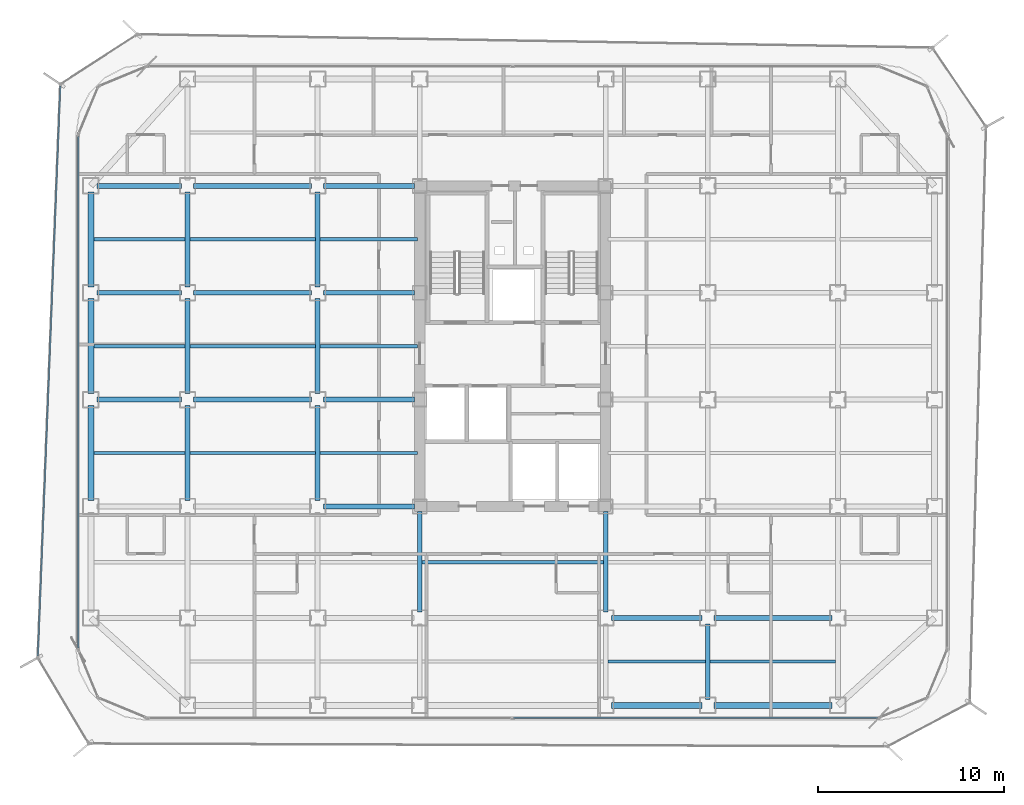
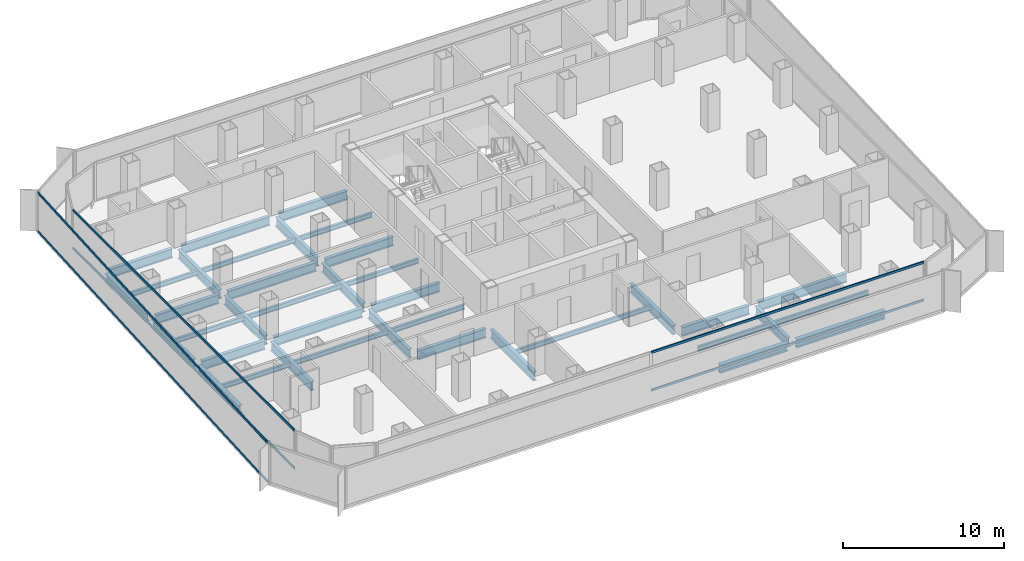
# One storey, part 5 of 21: 38 beams, 6 members, 3 elements without a shape of their own.
"""IFC4 building model written with IfcOpenShell, lengths in metres."""

from ifc_helpers import new_model, si_unit, direction, frame, origin, origin_2d, place, context, subcontext, project, spatial, hollow_rectangle, i_section, extrude, source, transform, mapped, material, layer, layer_set, material_profile, profile_set, type_object, element, aggregate, save


model = new_model("IFC4")

# Units and contexts
model_context = context("Model", 3, precision=1e-05, world=origin(), true_north=direction((0.0, 1.0)))
body_context = subcontext(model_context, "Body", "Model", "MODEL_VIEW")
ifc_project = project(units=[si_unit("LENGTHUNIT", "METRE"), si_unit("AREAUNIT", "SQUARE_METRE"), si_unit("VOLUMEUNIT", "CUBIC_METRE"), si_unit("PLANEANGLEUNIT", "RADIAN"), si_unit("MASSUNIT", "GRAM", prefix="KILO")], contexts=[model_context])

# Site, building, storey
site_placement = place(None, origin())
site = spatial("IfcSite", under=ifc_project, at=site_placement, CompositionType="ELEMENT")
building_placement = place(site_placement, origin())
building = spatial("IfcBuilding", under=site, at=building_placement, Name="Kolveth Station Tower", CompositionType="ELEMENT")
storey_placement = place(building_placement, frame((0.0, 0.0, 124.699951171875)))
storey = spatial("IfcBuildingStorey", under=building, at=storey_placement, Name="L34", CompositionType="ELEMENT", Elevation=124.699951171875)

# Beams
ifc_material_1 = material(Name="Steel S355", Category="steel")
ifc_material_profile_1 = material_profile(ifc_material_1, i_section(OverallWidth=0.323974609375, OverallDepth=0.611083984375, WebThickness=0.0126953125, FlangeThickness=0.01904296875, at=origin_2d()), Name="W610x155")
ifc_profile_set_1 = profile_set([ifc_material_profile_1], Name="Steel S355")
beam_type_1 = type_object("IfcBeamType", Name="Beam_SP2", PredefinedType="SPANDREL", material=ifc_profile_set_1)
shared_shape_1 = source(origin(), body_context, "Body", "SweptSolid", [
    extrude(i_section(OverallWidth=0.323974609375, OverallDepth=0.611083984375, WebThickness=0.0126953125, FlangeThickness=0.01904296875, at=origin_2d()), origin(), (0.0, 0.0, 1.0), 6.35986328125),
])
beam_1_placement = place(storey_placement, frame((34.320068359375, 0.800048828125, -0.555419921875), z_axis=(1.0, 0.0, 0.0), x_axis=(0.0, 1.0, 0.0)))
element("IfcBeam", 1, at=beam_1_placement, inside=storey, type_object=beam_type_1, Name="L34 Perimeter Spandrel BM-L34-PS-5", PredefinedType="SPANDREL", context=body_context, shape_type="MappedRepresentation", body=[
    mapped(shared_shape_1, transform((0.0, 0.0, 0.0), x_axis=(1.0, 0.0, 0.0), y_axis=(0.0, 1.0, 0.0), z_axis=(0.0, 0.0, 1.0), scale=1.0)),
])
shared_shape_2 = source(origin(), body_context, "Body", "SweptSolid", [
    extrude(i_section(OverallWidth=0.323974609375, OverallDepth=0.611083984375, WebThickness=0.0126953125, FlangeThickness=0.01904296875, at=origin_2d()), origin(), (0.0, 0.0, 1.0), 4.85986328125),
])
beam_2_placement = place(storey_placement, frame((28.820068359375, 0.800048828125, -0.555419921875), z_axis=(1.0, 0.0, 0.0), x_axis=(0.0, 1.0, 0.0)))
element("IfcBeam", 2, at=beam_2_placement, inside=storey, type_object=beam_type_1, Name="L34 Perimeter Spandrel BM-L34-PS-4", PredefinedType="SPANDREL", context=body_context, shape_type="MappedRepresentation", body=[
    mapped(shared_shape_2, transform((0.0, 0.0, 0.0), x_axis=(1.0, 0.0, 0.0), y_axis=(0.0, 1.0, 0.0), z_axis=(0.0, 0.0, 1.0), scale=1.0)),
])
shared_shape_3 = source(origin(), body_context, "Body", "SweptSolid", [
    extrude(i_section(OverallWidth=0.323974609375, OverallDepth=0.611083984375, WebThickness=0.0126953125, FlangeThickness=0.01904296875, at=origin_2d()), origin(), (0.0, 0.0, 1.0), 5.10986328125),
])
for number, where, z_axis, x_axis, name in (
    (3, (0.800048828125, 11.820068359375, -0.555419921875), (0.0, 1.0, 0.0), (-1.0, 0.0, 0.0), "L34 Perimeter Spandrel BM-L34-PW-2"),
    (4, (0.800048828125, 17.570068359375, -0.555419921875), (0.0, 1.0, 0.0), (-1.0, 0.0, 0.0), "L34 Perimeter Spandrel BM-L34-PW-3"),
    (5, (0.800048828125, 23.320068359375, -0.555419921875), (0.0, 1.0, 0.0), (-1.0, 0.0, 0.0), "L34 Perimeter Spandrel BM-L34-PW-4"),
):
    element("IfcBeam", number, at=place(storey_placement, frame(where, z_axis=z_axis, x_axis=x_axis)), inside=storey, type_object=beam_type_1, Name=name, PredefinedType="SPANDREL", context=body_context, shape_type="MappedRepresentation", body=[
        mapped(shared_shape_3, transform((0.0, 0.0, 0.0), x_axis=(1.0, 0.0, 0.0), y_axis=(0.0, 1.0, 0.0), z_axis=(0.0, 0.0, 1.0), scale=1.0)),
    ])
ifc_material_profile_2 = material_profile(ifc_material_1, i_section(OverallWidth=0.25390625, OverallDepth=0.68798828125, WebThickness=0.01318359375, FlangeThickness=0.02099609375, at=origin_2d()), Name="W690x152")
ifc_profile_set_2 = profile_set([ifc_material_profile_2], Name="Steel S355")
beam_type_2 = type_object("IfcBeamType", Name="Beam_B4", PredefinedType="BEAM", material=ifc_profile_set_2)
shared_shape_4 = source(origin(), body_context, "Body", "SweptSolid", [
    extrude(i_section(OverallWidth=0.25390625, OverallDepth=0.68798828125, WebThickness=0.01318359375, FlangeThickness=0.02099609375, at=origin_2d()), origin(), (0.0, 0.0, 1.0), 4.559814453125),
])
for number, where, z_axis, x_axis, name in (
    (6, (1.1201171875, 17.25, -0.593994140625), (1.0, 0.0, 0.0), (0.0, 1.0, 0.0), "L34 Primary Girder BM-L34-GY172-1"),
    (7, (1.1201171875, 23.0, -0.593994140625), (1.0, 0.0, 0.0), (0.0, 1.0, 0.0), "L34 Primary Girder BM-L34-GY230-1"),
    (8, (1.1201171875, 28.75, -0.593994140625), (1.0, 0.0, 0.0), (0.0, 1.0, 0.0), "L34 Primary Girder BM-L34-GY287-1"),
):
    element("IfcBeam", number, at=place(storey_placement, frame(where, z_axis=z_axis, x_axis=x_axis)), inside=storey, type_object=beam_type_2, Name=name, PredefinedType="BEAM", context=body_context, shape_type="MappedRepresentation", body=[
        mapped(shared_shape_4, transform((0.0, 0.0, 0.0), x_axis=(1.0, 0.0, 0.0), y_axis=(0.0, 1.0, 0.0), z_axis=(0.0, 0.0, 1.0), scale=1.0)),
    ])
shared_shape_5 = source(origin(), body_context, "Body", "SweptSolid", [
    extrude(i_section(OverallWidth=0.25390625, OverallDepth=0.68798828125, WebThickness=0.01318359375, FlangeThickness=0.02099609375, at=origin_2d()), origin(), (0.0, 0.0, 1.0), 6.35986328125),
])
for number, where, z_axis, x_axis, name in (
    (9, (34.320068359375, 5.5, -0.593994140625), (1.0, 0.0, 0.0), (0.0, 1.0, 0.0), "L34 Primary Girder BM-L34-GY55-6"),
    (10, (6.320068359375, 17.25, -0.593994140625), (1.0, 0.0, 0.0), (0.0, 1.0, 0.0), "L34 Primary Girder BM-L34-GY172-2"),
    (11, (6.320068359375, 23.0, -0.593994140625), (1.0, 0.0, 0.0), (0.0, 1.0, 0.0), "L34 Primary Girder BM-L34-GY230-2"),
    (12, (6.320068359375, 28.75, -0.593994140625), (1.0, 0.0, 0.0), (0.0, 1.0, 0.0), "L34 Primary Girder BM-L34-GY287-2"),
):
    element("IfcBeam", number, at=place(storey_placement, frame(where, z_axis=z_axis, x_axis=x_axis)), inside=storey, type_object=beam_type_2, Name=name, PredefinedType="BEAM", context=body_context, shape_type="MappedRepresentation", body=[
        mapped(shared_shape_5, transform((0.0, 0.0, 0.0), x_axis=(1.0, 0.0, 0.0), y_axis=(0.0, 1.0, 0.0), z_axis=(0.0, 0.0, 1.0), scale=1.0)),
    ])
shared_shape_6 = source(origin(), body_context, "Body", "SweptSolid", [
    extrude(i_section(OverallWidth=0.25390625, OverallDepth=0.68798828125, WebThickness=0.01318359375, FlangeThickness=0.02099609375, at=origin_2d()), origin(), (0.0, 0.0, 1.0), 4.85986328125),
])
beam_3_placement = place(storey_placement, frame((28.820068359375, 5.5, -0.593994140625), z_axis=(1.0, 0.0, 0.0), x_axis=(0.0, 1.0, 0.0)))
element("IfcBeam", 13, at=beam_3_placement, inside=storey, type_object=beam_type_2, Name="L34 Primary Girder BM-L34-GY55-5", PredefinedType="BEAM", context=body_context, shape_type="MappedRepresentation", body=[
    mapped(shared_shape_6, transform((0.0, 0.0, 0.0), x_axis=(1.0, 0.0, 0.0), y_axis=(0.0, 1.0, 0.0), z_axis=(0.0, 0.0, 1.0), scale=1.0)),
])
shared_shape_7 = source(origin(), body_context, "Body", "SweptSolid", [
    extrude(i_section(OverallWidth=0.25390625, OverallDepth=0.68798828125, WebThickness=0.01318359375, FlangeThickness=0.02099609375, at=origin_2d()), origin(), (0.0, 0.0, 1.0), 4.89990234375),
])
for number, where, z_axis, x_axis, name in (
    (14, (13.320068359375, 11.5, -0.593994140625), (1.0, 0.0, 0.0), (0.0, 1.0, 0.0), "L34 Primary Girder BM-L34-GY115-3"),
    (15, (13.320068359375, 17.25, -0.593994140625), (1.0, 0.0, 0.0), (0.0, 1.0, 0.0), "L34 Primary Girder BM-L34-GY172-3"),
    (16, (13.320068359375, 23.0, -0.593994140625), (1.0, 0.0, 0.0), (0.0, 1.0, 0.0), "L34 Primary Girder BM-L34-GY230-3"),
    (17, (13.320068359375, 28.75, -0.593994140625), (1.0, 0.0, 0.0), (0.0, 1.0, 0.0), "L34 Primary Girder BM-L34-GY287-3"),
):
    element("IfcBeam", number, at=place(storey_placement, frame(where, z_axis=z_axis, x_axis=x_axis)), inside=storey, type_object=beam_type_2, Name=name, PredefinedType="BEAM", context=body_context, shape_type="MappedRepresentation", body=[
        mapped(shared_shape_7, transform((0.0, 0.0, 0.0), x_axis=(1.0, 0.0, 0.0), y_axis=(0.0, 1.0, 0.0), z_axis=(0.0, 0.0, 1.0), scale=1.0)),
    ])
shared_shape_8 = source(origin(), body_context, "Body", "SweptSolid", [
    extrude(i_section(OverallWidth=0.25390625, OverallDepth=0.68798828125, WebThickness=0.01318359375, FlangeThickness=0.02099609375, at=origin_2d()), origin(), (0.0, 0.0, 1.0), 4.059814453125),
])
beam_4_placement = place(storey_placement, frame((34.0, 1.1201171875, -0.593994140625), z_axis=(0.0, 1.0, 0.0), x_axis=(-1.0, 0.0, 0.0)))
element("IfcBeam", 18, at=beam_4_placement, inside=storey, type_object=beam_type_2, Name="L34 Primary Girder BM-L34-GX340-1", PredefinedType="BEAM", context=body_context, shape_type="MappedRepresentation", body=[
    mapped(shared_shape_8, transform((0.0, 0.0, 0.0), x_axis=(1.0, 0.0, 0.0), y_axis=(0.0, 1.0, 0.0), z_axis=(0.0, 0.0, 1.0), scale=1.0)),
])
shared_shape_9 = source(origin(), body_context, "Body", "SweptSolid", [
    extrude(i_section(OverallWidth=0.25390625, OverallDepth=0.68798828125, WebThickness=0.01318359375, FlangeThickness=0.02099609375, at=origin_2d()), origin(), (0.0, 0.0, 1.0), 5.10986328125),
])
for number, where, z_axis, x_axis, name in (
    (19, (6.0, 11.820068359375, -0.593994140625), (0.0, 1.0, 0.0), (-1.0, 0.0, 0.0), "L34 Primary Girder BM-L34-GX60-3"),
    (20, (6.0, 17.570068359375, -0.593994140625), (0.0, 1.0, 0.0), (-1.0, 0.0, 0.0), "L34 Primary Girder BM-L34-GX60-4"),
    (21, (6.0, 23.320068359375, -0.593994140625), (0.0, 1.0, 0.0), (-1.0, 0.0, 0.0), "L34 Primary Girder BM-L34-GX60-5"),
    (22, (13.0, 11.820068359375, -0.593994140625), (0.0, 1.0, 0.0), (-1.0, 0.0, 0.0), "L34 Primary Girder BM-L34-GX130-3"),
    (23, (13.0, 17.570068359375, -0.593994140625), (0.0, 1.0, 0.0), (-1.0, 0.0, 0.0), "L34 Primary Girder BM-L34-GX130-4"),
    (24, (13.0, 23.320068359375, -0.593994140625), (0.0, 1.0, 0.0), (-1.0, 0.0, 0.0), "L34 Primary Girder BM-L34-GX130-5"),
):
    element("IfcBeam", number, at=place(storey_placement, frame(where, z_axis=z_axis, x_axis=x_axis)), inside=storey, type_object=beam_type_2, Name=name, PredefinedType="BEAM", context=body_context, shape_type="MappedRepresentation", body=[
        mapped(shared_shape_9, transform((0.0, 0.0, 0.0), x_axis=(1.0, 0.0, 0.0), y_axis=(0.0, 1.0, 0.0), z_axis=(0.0, 0.0, 1.0), scale=1.0)),
    ])
shared_shape_10 = source(origin(), body_context, "Body", "SweptSolid", [
    extrude(i_section(OverallWidth=0.25390625, OverallDepth=0.68798828125, WebThickness=0.01318359375, FlangeThickness=0.02099609375, at=origin_2d()), origin(), (0.0, 0.0, 1.0), 5.39990234375),
])
for number, where, z_axis, x_axis, name in (
    (25, (18.5, 5.820068359375, -0.593994140625), (0.0, 1.0, 0.0), (-1.0, 0.0, 0.0), "L34 Primary Girder BM-L34-GX185-2"),
    (26, (28.5, 5.820068359375, -0.593994140625), (0.0, 1.0, 0.0), (-1.0, 0.0, 0.0), "L34 Primary Girder BM-L34-GX285-2"),
):
    element("IfcBeam", number, at=place(storey_placement, frame(where, z_axis=z_axis, x_axis=x_axis)), inside=storey, type_object=beam_type_2, Name=name, PredefinedType="BEAM", context=body_context, shape_type="MappedRepresentation", body=[
        mapped(shared_shape_10, transform((0.0, 0.0, 0.0), x_axis=(1.0, 0.0, 0.0), y_axis=(0.0, 1.0, 0.0), z_axis=(0.0, 0.0, 1.0), scale=1.0)),
    ])
ifc_material_profile_3 = material_profile(ifc_material_1, i_section(OverallWidth=0.1708984375, OverallDepth=0.35205078125, WebThickness=0.0068359375, FlangeThickness=0.009765625, at=origin_2d()), Name="W360x44")
ifc_profile_set_3 = profile_set([ifc_material_profile_3], Name="Steel S355")
beam_type_3 = type_object("IfcBeamType", Name="Beam_J2", PredefinedType="JOIST", material=ifc_profile_set_3)
shared_shape_11 = source(origin(), body_context, "Body", "SweptSolid", [
    extrude(i_section(OverallWidth=0.1708984375, OverallDepth=0.35205078125, WebThickness=0.0068359375, FlangeThickness=0.009765625, at=origin_2d()), origin(), (0.0, 0.0, 1.0), 4.9150390625),
])
for number, where, z_axis, x_axis, name in (
    (27, (0.9599609375, 14.375, -0.426025390625), (1.0, 0.0, 0.0), (0.0, 1.0, 0.0), "L34 Secondary Joist JST-L34-1-3"),
    (28, (0.9599609375, 20.125, -0.426025390625), (1.0, 0.0, 0.0), (0.0, 1.0, 0.0), "L34 Secondary Joist JST-L34-1-4"),
    (29, (0.9599609375, 25.875, -0.426025390625), (1.0, 0.0, 0.0), (0.0, 1.0, 0.0), "L34 Secondary Joist JST-L34-1-5"),
):
    element("IfcBeam", number, at=place(storey_placement, frame(where, z_axis=z_axis, x_axis=x_axis)), inside=storey, type_object=beam_type_3, Name=name, PredefinedType="JOIST", context=body_context, shape_type="MappedRepresentation", body=[
        mapped(shared_shape_11, transform((0.0, 0.0, 0.0), x_axis=(1.0, 0.0, 0.0), y_axis=(0.0, 1.0, 0.0), z_axis=(0.0, 0.0, 1.0), scale=1.0)),
    ])
shared_shape_12 = source(origin(), body_context, "Body", "SweptSolid", [
    extrude(i_section(OverallWidth=0.1708984375, OverallDepth=0.35205078125, WebThickness=0.0068359375, FlangeThickness=0.009765625, at=origin_2d()), origin(), (0.0, 0.0, 1.0), 6.75),
])
for number, where, z_axis, x_axis, name in (
    (30, (6.125, 14.375, -0.426025390625), (1.0, 0.0, 0.0), (0.0, 1.0, 0.0), "L34 Secondary Joist JST-L34-2-3"),
    (31, (6.125, 20.125, -0.426025390625), (1.0, 0.0, 0.0), (0.0, 1.0, 0.0), "L34 Secondary Joist JST-L34-2-4"),
    (32, (6.125, 25.875, -0.426025390625), (1.0, 0.0, 0.0), (0.0, 1.0, 0.0), "L34 Secondary Joist JST-L34-2-5"),
    (33, (34.125, 3.14990234375, -0.426025390625), (1.0, 0.0, 0.0), (0.0, 1.0, 0.0), "L34 Secondary Joist JST-L34-6-1"),
):
    element("IfcBeam", number, at=place(storey_placement, frame(where, z_axis=z_axis, x_axis=x_axis)), inside=storey, type_object=beam_type_3, Name=name, PredefinedType="JOIST", context=body_context, shape_type="MappedRepresentation", body=[
        mapped(shared_shape_12, transform((0.0, 0.0, 0.0), x_axis=(1.0, 0.0, 0.0), y_axis=(0.0, 1.0, 0.0), z_axis=(0.0, 0.0, 1.0), scale=1.0)),
    ])
shared_shape_13 = source(origin(), body_context, "Body", "SweptSolid", [
    extrude(i_section(OverallWidth=0.1708984375, OverallDepth=0.35205078125, WebThickness=0.0068359375, FlangeThickness=0.009765625, at=origin_2d()), origin(), (0.0, 0.0, 1.0), 5.25),
])
for number, where, z_axis, x_axis, name in (
    (34, (13.125, 14.375, -0.426025390625), (1.0, 0.0, 0.0), (0.0, 1.0, 0.0), "L34 Secondary Joist JST-L34-3-3"),
    (35, (13.125, 20.125, -0.426025390625), (1.0, 0.0, 0.0), (0.0, 1.0, 0.0), "L34 Secondary Joist JST-L34-3-4"),
    (36, (13.125, 25.875, -0.426025390625), (1.0, 0.0, 0.0), (0.0, 1.0, 0.0), "L34 Secondary Joist JST-L34-3-5"),
    (37, (28.625, 3.14990234375, -0.426025390625), (1.0, 0.0, 0.0), (0.0, 1.0, 0.0), "L34 Secondary Joist JST-L34-5-1"),
):
    element("IfcBeam", number, at=place(storey_placement, frame(where, z_axis=z_axis, x_axis=x_axis)), inside=storey, type_object=beam_type_3, Name=name, PredefinedType="JOIST", context=body_context, shape_type="MappedRepresentation", body=[
        mapped(shared_shape_13, transform((0.0, 0.0, 0.0), x_axis=(1.0, 0.0, 0.0), y_axis=(0.0, 1.0, 0.0), z_axis=(0.0, 0.0, 1.0), scale=1.0)),
    ])
shared_shape_14 = source(origin(), body_context, "Body", "SweptSolid", [
    extrude(i_section(OverallWidth=0.1708984375, OverallDepth=0.35205078125, WebThickness=0.0068359375, FlangeThickness=0.009765625, at=origin_2d()), origin(), (0.0, 0.0, 1.0), 9.75),
])
beam_5_placement = place(storey_placement, frame((18.625, 8.5, -0.426025390625), z_axis=(1.0, 0.0, 0.0), x_axis=(0.0, 1.0, 0.0)))
element("IfcBeam", 38, at=beam_5_placement, inside=storey, type_object=beam_type_3, Name="L34 Secondary Joist JST-L34-4-2", PredefinedType="JOIST", context=body_context, shape_type="MappedRepresentation", body=[
    mapped(shared_shape_14, transform((0.0, 0.0, 0.0), x_axis=(1.0, 0.0, 0.0), y_axis=(0.0, 1.0, 0.0), z_axis=(0.0, 0.0, 1.0), scale=1.0)),
])

# Curtain wall, members
ifc_material_2 = material(Name="Aluminium 6063-T6 and low-E dark glass", Category="aluminium")
ifc_layer_1 = layer(ifc_material_2, 0.18994140625)
ifc_layer_set_1 = layer_set([ifc_layer_1], Name="Aluminium 6063-T6 and low-E dark glass")
curtain_wall_type_1 = type_object("IfcCurtainWallType", Name="CurtainWall_CW-Z2", PredefinedType="NOTDEFINED", material=ifc_layer_set_1)
curtain_wall_1_placement = place(storey_placement, origin())
curtain_wall_1 = element("IfcCurtainWall", 39, at=curtain_wall_1_placement, inside=storey, type_object=curtain_wall_type_1, Name="L34 Inner Thermal Curtain Wall 9", PredefinedType="NOTDEFINED")
ifc_material_3 = material(Name="Black anodized aluminium 6063-T6", Category="aluminium")
ifc_material_profile_4 = material_profile(ifc_material_3, hollow_rectangle(XDim=0.080078125, YDim=0.169921875, WallThickness=0.0048828125, at=origin_2d()), Name="ALU-80x170x5")
ifc_profile_set_4 = profile_set([ifc_material_profile_4], Name="Black anodized aluminium 6063-T6")
member_type_1 = type_object("IfcMemberType", Name="Transom_TR2", PredefinedType="USERDEFINED", material=ifc_profile_set_4)
shared_shape_15 = source(origin(), body_context, "Body", "SweptSolid", [
    extrude(hollow_rectangle(XDim=0.080078125, YDim=0.169921875, WallThickness=0.0048828125, at=origin_2d()), origin(), (0.0, 0.0, 1.0), 27.5400390625),
])
member_1_placement = place(storey_placement, frame((0.1201171875, 31.419921875, 0.0400390625), z_axis=(0.0, -1.0, 0.0), x_axis=(1.0, 0.0, 0.0)))
member_1 = element("IfcMember", 40, at=member_1_placement, type_object=member_type_1, Name="CW-Z2 transom 1.1", ObjectType="TRANSOM", PredefinedType="USERDEFINED", context=body_context, shape_type="MappedRepresentation", body=[
    mapped(shared_shape_15, transform((0.0, 0.0, 0.0), x_axis=(1.0, 0.0, 0.0), y_axis=(0.0, 1.0, 0.0), z_axis=(0.0, 0.0, 1.0), scale=1.0)),
])
member_2_placement = place(storey_placement, frame((0.1201171875, 31.419921875, 2.91015625), z_axis=(0.0, -1.0, 0.0), x_axis=(1.0, 0.0, 0.0)))
member_2 = element("IfcMember", 41, at=member_2_placement, type_object=member_type_1, Name="CW-Z2 transom 1.2", ObjectType="TRANSOM", PredefinedType="USERDEFINED", context=body_context, shape_type="MappedRepresentation", body=[
    mapped(shared_shape_15, transform((0.0, 0.0, 0.0), x_axis=(1.0, 0.0, 0.0), y_axis=(0.0, 1.0, 0.0), z_axis=(0.0, 0.0, 1.0), scale=1.0)),
])
aggregate(curtain_wall_1, [member_1, member_2])

curtain_wall_2_placement = place(storey_placement, origin())
curtain_wall_2 = element("IfcCurtainWall", 42, at=curtain_wall_2_placement, inside=storey, type_object=curtain_wall_type_1, Name="L34 Inner Thermal Curtain Wall 12", PredefinedType="NOTDEFINED")
shared_shape_16 = source(origin(), body_context, "Body", "SweptSolid", [
    extrude(hollow_rectangle(XDim=0.080078125, YDim=0.169921875, WallThickness=0.0048828125, at=origin_2d()), origin(), (0.0, 0.0, 1.0), 19.580078125),
])
member_3_placement = place(storey_placement, frame((23.5400390625, 0.1201171875, 0.0400390625), z_axis=(1.0, 0.0, 0.0), x_axis=(0.0, 1.0, 0.0)))
member_3 = element("IfcMember", 43, at=member_3_placement, type_object=member_type_1, Name="CW-Z2 transom 2.1", ObjectType="TRANSOM", PredefinedType="USERDEFINED", context=body_context, shape_type="MappedRepresentation", body=[
    mapped(shared_shape_16, transform((0.0, 0.0, 0.0), x_axis=(1.0, 0.0, 0.0), y_axis=(0.0, 1.0, 0.0), z_axis=(0.0, 0.0, 1.0), scale=1.0)),
])
member_4_placement = place(storey_placement, frame((23.5400390625, 0.1201171875, 2.91015625), z_axis=(1.0, 0.0, 0.0), x_axis=(0.0, 1.0, 0.0)))
member_4 = element("IfcMember", 44, at=member_4_placement, type_object=member_type_1, Name="CW-Z2 transom 2.2", ObjectType="TRANSOM", PredefinedType="USERDEFINED", context=body_context, shape_type="MappedRepresentation", body=[
    mapped(shared_shape_16, transform((0.0, 0.0, 0.0), x_axis=(1.0, 0.0, 0.0), y_axis=(0.0, 1.0, 0.0), z_axis=(0.0, 0.0, 1.0), scale=1.0)),
])
aggregate(curtain_wall_2, [member_3, member_4])

ifc_material_4 = material(Name="Black anodized aluminium 6063-T6 and dark solar glass", Category="aluminium")
ifc_layer_2 = layer(ifc_material_4, 0.159912109375)
ifc_layer_set_2 = layer_set([ifc_layer_2], Name="Black anodized aluminium 6063-T6 and dark solar glass")
curtain_wall_type_2 = type_object("IfcCurtainWallType", Name="OUTER SKIN CW-OS", PredefinedType="NOTDEFINED", material=ifc_layer_set_2)
curtain_wall_3_placement = place(storey_placement, origin())
curtain_wall_3 = element("IfcCurtainWall", 45, at=curtain_wall_3_placement, inside=storey, type_object=curtain_wall_type_2, Name="L34 Outer Ventilated Skin Curtain Wall 6", PredefinedType="NOTDEFINED")
ifc_material_profile_5 = material_profile(ifc_material_3, hollow_rectangle(XDim=0.080078125, YDim=0.14990234375, WallThickness=0.0048828125, at=origin_2d()), Name="ALU-80x150x5")
ifc_profile_set_5 = profile_set([ifc_material_profile_5], Name="Black anodized aluminium 6063-T6")
member_type_2 = type_object("IfcMemberType", Name="Transom_TR-OS", PredefinedType="USERDEFINED", material=ifc_profile_set_5)
shared_shape_17 = source(origin(), body_context, "Body", "SweptSolid", [
    extrude(hollow_rectangle(XDim=0.080078125, YDim=0.14990234375, WallThickness=0.0048828125, at=origin_2d()), origin(), (0.0, 0.0, 1.0), 30.699951171875),
])
member_5_placement = place(storey_placement, frame((-0.84423828125, 34.127685546875, 0.0400390625), z_axis=(-0.039340790188, -0.999225851461, 0.0), x_axis=(0.999225851461, -0.039340790188, 0.0)))
member_5 = element("IfcMember", 46, at=member_5_placement, type_object=member_type_2, Name="CW-OS transom 1.1", ObjectType="TRANSOM", PredefinedType="USERDEFINED", context=body_context, shape_type="MappedRepresentation", body=[
    mapped(shared_shape_17, transform((0.0, 0.0, 0.0), x_axis=(1.0, 0.0, 0.0), y_axis=(0.0, 1.0, 0.0), z_axis=(0.0, 0.0, 1.0), scale=1.0)),
])
member_6_placement = place(storey_placement, frame((-0.84423828125, 34.127685546875, 2.949951171875), z_axis=(-0.039340790188, -0.999225851461, 0.0), x_axis=(0.999225851461, -0.039340790188, 0.0)))
member_6 = element("IfcMember", 47, at=member_6_placement, type_object=member_type_2, Name="CW-OS transom 1.2", ObjectType="TRANSOM", PredefinedType="USERDEFINED", context=body_context, shape_type="MappedRepresentation", body=[
    mapped(shared_shape_17, transform((0.0, 0.0, 0.0), x_axis=(1.0, 0.0, 0.0), y_axis=(0.0, 1.0, 0.0), z_axis=(0.0, 0.0, 1.0), scale=1.0)),
])
aggregate(curtain_wall_3, [member_5, member_6])

save(model, "model.ifc")
